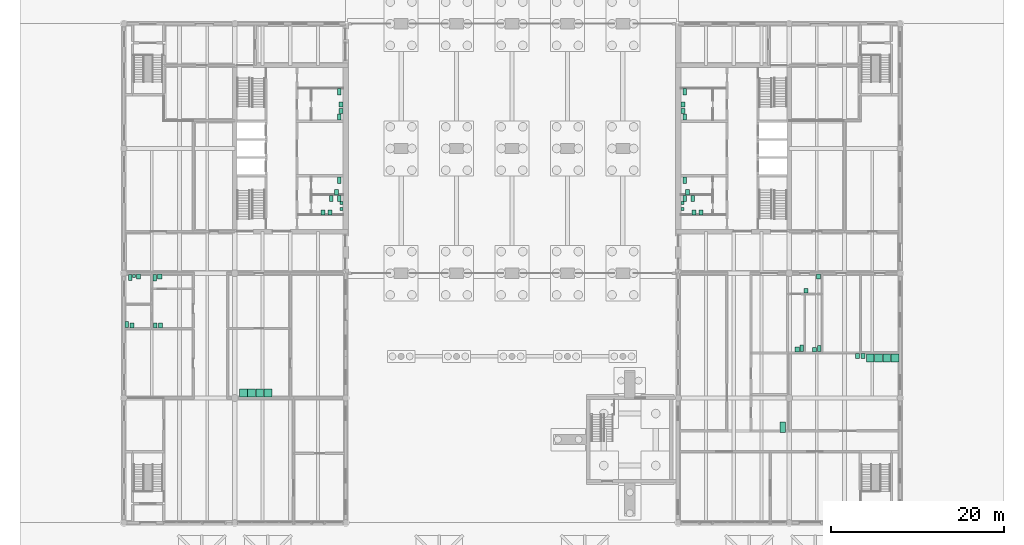
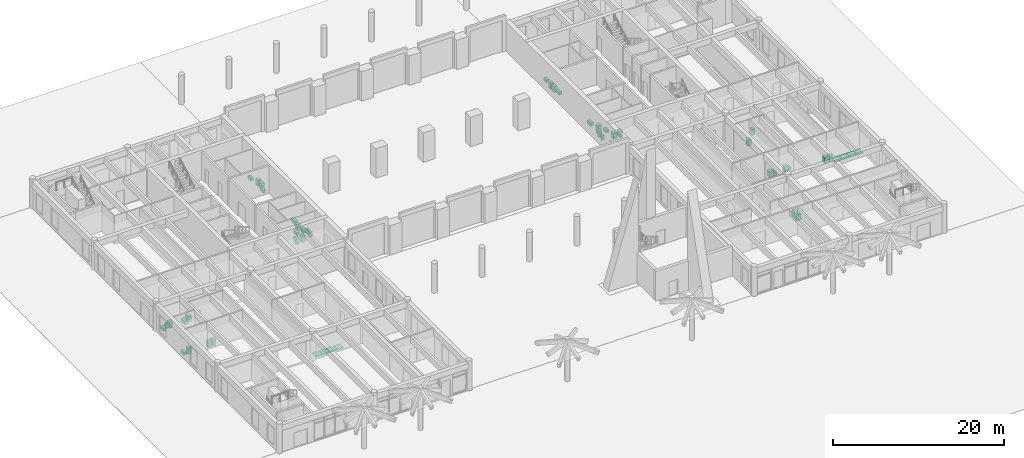
# One storey, part 28 of 28: 50 sanitary terminals.
"""IFC4 building model written with IfcOpenShell, lengths in metres."""

from ifc_helpers import new_model, si_unit, direction, frame, origin, origin_2d, place, context, subcontext, project, spatial, rectangle, extrude, material, type_object, element, save


model = new_model("IFC4")

# Units and contexts
model_context = context("Model", 3, precision=1e-05, world=origin(), true_north=direction((0.0, 1.0)))
body_context = subcontext(model_context, "Body", "Model", "MODEL_VIEW")
ifc_project = project(units=[si_unit("LENGTHUNIT", "METRE"), si_unit("AREAUNIT", "SQUARE_METRE"), si_unit("VOLUMEUNIT", "CUBIC_METRE"), si_unit("PLANEANGLEUNIT", "RADIAN"), si_unit("MASSUNIT", "GRAM", prefix="KILO")], contexts=[model_context])

# Site, building, storey
site_placement = place(None, origin())
site = spatial("IfcSite", under=ifc_project, at=site_placement, CompositionType="ELEMENT")
building_placement = place(site_placement, origin())
building = spatial("IfcBuilding", under=site, at=building_placement, Name="Fogon Plaza Fire Station and Headquarters Tower", CompositionType="ELEMENT")
storey_placement = place(building_placement, origin())
storey = spatial("IfcBuildingStorey", under=building, at=storey_placement, Name="L00", CompositionType="ELEMENT", Elevation=0.0)

# Sanitary terminals
ifc_material_1 = material(Name="Vitreous china")
sanitary_terminal_type_1 = type_object("IfcSanitaryTerminalType", Name="Accessible Hand Basin 600x500", PredefinedType="WASHHANDBASIN", material=ifc_material_1)
for number, where, z_axis, x_axis, name in (
    (1, (24.550048828125, 38.14990234375, 0.0), (0.0, 0.0, 1.0), (1.0, 0.0, 0.0), "Accessible Hand Basin"),
    (2, (65.050048828125, 38.14990234375, 0.0), (0.0, 0.0, 1.0), (1.0, 0.0, 0.0), "Accessible Hand Basin"),
    (3, (4.139892578125, 28.409912109375, 0.0), (0.0, 0.0, 1.0), (1.0, 0.0, 0.0), "Accessible Hand Basin"),
    (4, (77.7099609375, 19.989990234375, 0.0), (0.0, 0.0, 1.0), (1.0, 0.0, 0.0), "Accessible Hand Basin"),
):
    element("IfcSanitaryTerminal", number, at=place(storey_placement, frame(where, z_axis=z_axis, x_axis=x_axis)), inside=storey, type_object=sanitary_terminal_type_1, Name=name, PredefinedType="WASHHANDBASIN", context=body_context, shape_type="SweptSolid", body=[
        extrude(rectangle(XDim=0.5, YDim=0.60009765625, at=origin_2d()), origin(), (0.0, 0.0, 1.0), 0.800048828125),
    ])
ifc_material_2 = material(Name="Vitreous china")
sanitary_terminal_type_2 = type_object("IfcSanitaryTerminalType", Name="Accessible WC Pan 400x750", PredefinedType="TOILETPAN", material=ifc_material_2)
for number, where, z_axis, x_axis, name in (
    (5, (24.85009765625, 39.550048828125, 0.0), (0.0, 0.0, 1.0), (1.0, 0.0, 0.0), "Accessible WC Pan"),
    (6, (64.75, 39.550048828125, 0.0), (0.0, 0.0, 1.0), (1.0, 0.0, 0.0), "Accessible WC Pan"),
    (7, (3.5400390625, 28.284912109375, 0.0), (0.0, 0.0, 1.0), (1.0, 0.0, 0.0), "Accessible WC Pan"),
    (8, (78.260009765625, 20.114990234375, 0.0), (0.0, 0.0, 1.0), (1.0, 0.0, 0.0), "Accessible WC Pan"),
):
    element("IfcSanitaryTerminal", number, at=place(storey_placement, frame(where, z_axis=z_axis, x_axis=x_axis)), inside=storey, type_object=sanitary_terminal_type_2, Name=name, PredefinedType="TOILETPAN", context=body_context, shape_type="SweptSolid", body=[
        extrude(rectangle(XDim=0.39990234375, YDim=0.75, at=origin_2d()), origin(), (0.0, 0.0, 1.0), 0.47998046875),
    ])
ifc_material_3 = material(Name="Vitreous china")
sanitary_terminal_type_3 = type_object("IfcSanitaryTerminalType", Name="Hand Basin 550x450", PredefinedType="WASHHANDBASIN", material=ifc_material_3)
for number, where, z_axis, x_axis, name in (
    (9, (23.800048828125, 35.824951171875, 0.0), (0.0, 0.0, 1.0), (1.0, 0.0, 0.0), "Hand Basin"),
    (10, (23.0, 35.824951171875, 0.0), (0.0, 0.0, 1.0), (1.0, 0.0, 0.0), "Hand Basin"),
    (11, (25.074951171875, 47.52490234375, 0.0), (0.0, 0.0, 1.0), (1.0, 0.0, 0.0), "Hand Basin"),
    (12, (25.074951171875, 48.27490234375, 0.0), (0.0, 0.0, 1.0), (1.0, 0.0, 0.0), "Hand Basin"),
    (13, (65.800048828125, 35.824951171875, 0.0), (0.0, 0.0, 1.0), (1.0, 0.0, 0.0), "Hand Basin"),
    (14, (66.60009765625, 35.824951171875, 0.0), (0.0, 0.0, 1.0), (1.0, 0.0, 0.0), "Hand Basin"),
    (15, (64.52490234375, 47.52490234375, 0.0), (0.0, 0.0, 1.0), (1.0, 0.0, 0.0), "Hand Basin"),
    (16, (64.52490234375, 48.27490234375, 0.0), (0.0, 0.0, 1.0), (1.0, 0.0, 0.0), "Hand Basin"),
    (17, (3.614990234375, 22.764892578125, 0.0), (0.0, 0.0, 1.0), (1.0, 0.0, 0.0), "Hand Basin"),
    (18, (4.215087890625, 22.764892578125, 0.0), (0.0, 0.0, 1.0), (1.0, 0.0, 0.0), "Hand Basin"),
    (19, (0.9150390625, 22.764892578125, 0.0), (0.0, 0.0, 1.0), (1.0, 0.0, 0.0), "Hand Basin"),
    (20, (1.6650390625, 28.43505859375, 0.0), (0.0, 0.0, 1.0), (1.0, 0.0, 0.0), "Hand Basin"),
    (21, (85.3349609375, 19.235107421875, 0.0), (0.0, 0.0, 1.0), (1.0, 0.0, 0.0), "Hand Basin"),
    (22, (84.68505859375, 19.235107421875, 0.0), (0.0, 0.0, 1.0), (1.0, 0.0, 0.0), "Hand Basin"),
    (23, (79.735107421875, 19.965087890625, 0.0), (0.0, 0.0, 1.0), (1.0, 0.0, 0.0), "Hand Basin"),
    (24, (78.735107421875, 26.764892578125, 0.0), (0.0, 0.0, 1.0), (1.0, 0.0, 0.0), "Hand Basin"),
    (25, (80.18505859375, 28.43505859375, 0.0), (0.0, 0.0, 1.0), (1.0, 0.0, 0.0), "Hand Basin"),
):
    element("IfcSanitaryTerminal", number, at=place(storey_placement, frame(where, z_axis=z_axis, x_axis=x_axis)), inside=storey, type_object=sanitary_terminal_type_3, Name=name, PredefinedType="WASHHANDBASIN", context=body_context, shape_type="SweptSolid", body=[
        extrude(rectangle(XDim=0.449951171875, YDim=0.550048828125, at=origin_2d()), origin(), (0.0, 0.0, 1.0), 0.85009765625),
    ])
ifc_material_4 = material(Name="Vitreous china")
sanitary_terminal_type_4 = type_object("IfcSanitaryTerminalType", Name="Shower Tray 900x900", PredefinedType="SHOWER", material=ifc_material_4)
for number, where, z_axis, x_axis, name in (
    (26, (13.7900390625, 14.989990234375, 0.0), (0.0, 0.0, 1.0), (1.0, 0.0, 0.0), "Shower Tray"),
    (27, (14.739990234375, 14.989990234375, 0.0), (0.0, 0.0, 1.0), (1.0, 0.0, 0.0), "Shower Tray"),
    (28, (15.68994140625, 14.989990234375, 0.0), (0.0, 0.0, 1.0), (1.0, 0.0, 0.0), "Shower Tray"),
    (29, (16.639892578125, 14.989990234375, 0.0), (0.0, 0.0, 1.0), (1.0, 0.0, 0.0), "Shower Tray"),
    (30, (89.010009765625, 19.010009765625, 0.0), (0.0, 0.0, 1.0), (1.0, 0.0, 0.0), "Shower Tray"),
    (31, (88.06005859375, 19.010009765625, 0.0), (0.0, 0.0, 1.0), (1.0, 0.0, 0.0), "Shower Tray"),
    (32, (87.110107421875, 19.010009765625, 0.0), (0.0, 0.0, 1.0), (1.0, 0.0, 0.0), "Shower Tray"),
    (33, (86.159912109375, 19.010009765625, 0.0), (0.0, 0.0, 1.0), (1.0, 0.0, 0.0), "Shower Tray"),
):
    element("IfcSanitaryTerminal", number, at=place(storey_placement, frame(where, z_axis=z_axis, x_axis=x_axis)), inside=storey, type_object=sanitary_terminal_type_4, Name=name, PredefinedType="SHOWER", context=body_context, shape_type="SweptSolid", body=[
        extrude(rectangle(XDim=0.89990234375, YDim=0.89990234375, at=origin_2d()), origin(), (0.0, 0.0, 1.0), 0.10009765625),
    ])
ifc_material_5 = material(Name="Stainless Steel", Category="steel")
sanitary_terminal_type_5 = type_object("IfcSanitaryTerminalType", Name="Sink Single Bowl 1200x600", PredefinedType="SINK", material=ifc_material_5)
sanitary_terminal_placement = place(storey_placement, frame((76.06005859375, 11.0400390625, 0.0), z_axis=(0.0, 0.0, 1.0), x_axis=(1.0, 0.0, 0.0)))
element("IfcSanitaryTerminal", 34, at=sanitary_terminal_placement, inside=storey, type_object=sanitary_terminal_type_5, Name="Sink Single Bowl", PredefinedType="SINK", context=body_context, shape_type="SweptSolid", body=[
    extrude(rectangle(XDim=0.60009765625, YDim=1.199951171875, at=origin_2d()), origin(), (0.0, 0.0, 1.0), 0.89990234375),
])
ifc_material_6 = material(Name="Vitreous china")
sanitary_terminal_type_6 = type_object("IfcSanitaryTerminalType", Name="Urinal 350x350", PredefinedType="URINAL", material=ifc_material_6)
for number, where, z_axis, x_axis, name in (
    (35, (25.125, 36.199951171875, 0.0), (0.0, 0.0, 1.0), (1.0, 0.0, 0.0), "Urinal"),
    (36, (25.125, 36.89990234375, 0.0), (0.0, 0.0, 1.0), (1.0, 0.0, 0.0), "Urinal"),
    (37, (64.47509765625, 36.199951171875, 0.0), (0.0, 0.0, 1.0), (1.0, 0.0, 0.0), "Urinal"),
    (38, (64.47509765625, 36.89990234375, 0.0), (0.0, 0.0, 1.0), (1.0, 0.0, 0.0), "Urinal"),
    (39, (1.1650390625, 28.485107421875, 0.0), (0.0, 0.0, 1.0), (1.0, 0.0, 0.0), "Urinal"),
):
    element("IfcSanitaryTerminal", number, at=place(storey_placement, frame(where, z_axis=z_axis, x_axis=x_axis)), inside=storey, type_object=sanitary_terminal_type_6, Name=name, PredefinedType="URINAL", context=body_context, shape_type="SweptSolid", body=[
        extrude(rectangle(XDim=0.35009765625, YDim=0.35009765625, at=origin_2d()), origin(), (0.0, 0.0, 1.0), 0.64990234375),
    ])
ifc_material_7 = material(Name="Vitreous china")
sanitary_terminal_type_7 = type_object("IfcSanitaryTerminalType", Name="WC Pan 400x700", PredefinedType="TOILETPAN", material=ifc_material_7)
for number, where, z_axis, x_axis, name in (
    (40, (24.85009765625, 37.449951171875, 0.0), (0.0, 0.0, 1.0), (1.0, 0.0, 0.0), "WC Pan"),
    (41, (23.949951171875, 37.449951171875, 0.0), (0.0, 0.0, 1.0), (1.0, 0.0, 0.0), "WC Pan"),
    (42, (24.85009765625, 49.75, 0.0), (0.0, 0.0, 1.0), (1.0, 0.0, 0.0), "WC Pan"),
    (43, (24.85009765625, 46.824951171875, 0.0), (0.0, 0.0, 1.0), (1.0, 0.0, 0.0), "WC Pan"),
    (44, (64.75, 37.449951171875, 0.0), (0.0, 0.0, 1.0), (1.0, 0.0, 0.0), "WC Pan"),
    (45, (65.64990234375, 37.449951171875, 0.0), (0.0, 0.0, 1.0), (1.0, 0.0, 0.0), "WC Pan"),
    (46, (64.75, 49.75, 0.0), (0.0, 0.0, 1.0), (1.0, 0.0, 0.0), "WC Pan"),
    (47, (64.75, 46.824951171875, 0.0), (0.0, 0.0, 1.0), (1.0, 0.0, 0.0), "WC Pan"),
    (48, (0.340087890625, 22.889892578125, 0.0), (0.0, 0.0, 1.0), (1.0, 0.0, 0.0), "WC Pan"),
    (49, (0.739990234375, 28.31005859375, 0.0), (0.0, 0.0, 1.0), (1.0, 0.0, 0.0), "WC Pan"),
    (50, (80.260009765625, 20.090087890625, 0.0), (0.0, 0.0, 1.0), (1.0, 0.0, 0.0), "WC Pan"),
):
    element("IfcSanitaryTerminal", number, at=place(storey_placement, frame(where, z_axis=z_axis, x_axis=x_axis)), inside=storey, type_object=sanitary_terminal_type_7, Name=name, PredefinedType="TOILETPAN", context=body_context, shape_type="SweptSolid", body=[
        extrude(rectangle(XDim=0.39990234375, YDim=0.699951171875, at=origin_2d()), origin(), (0.0, 0.0, 1.0), 0.39990234375),
    ])

save(model, "model.ifc")
